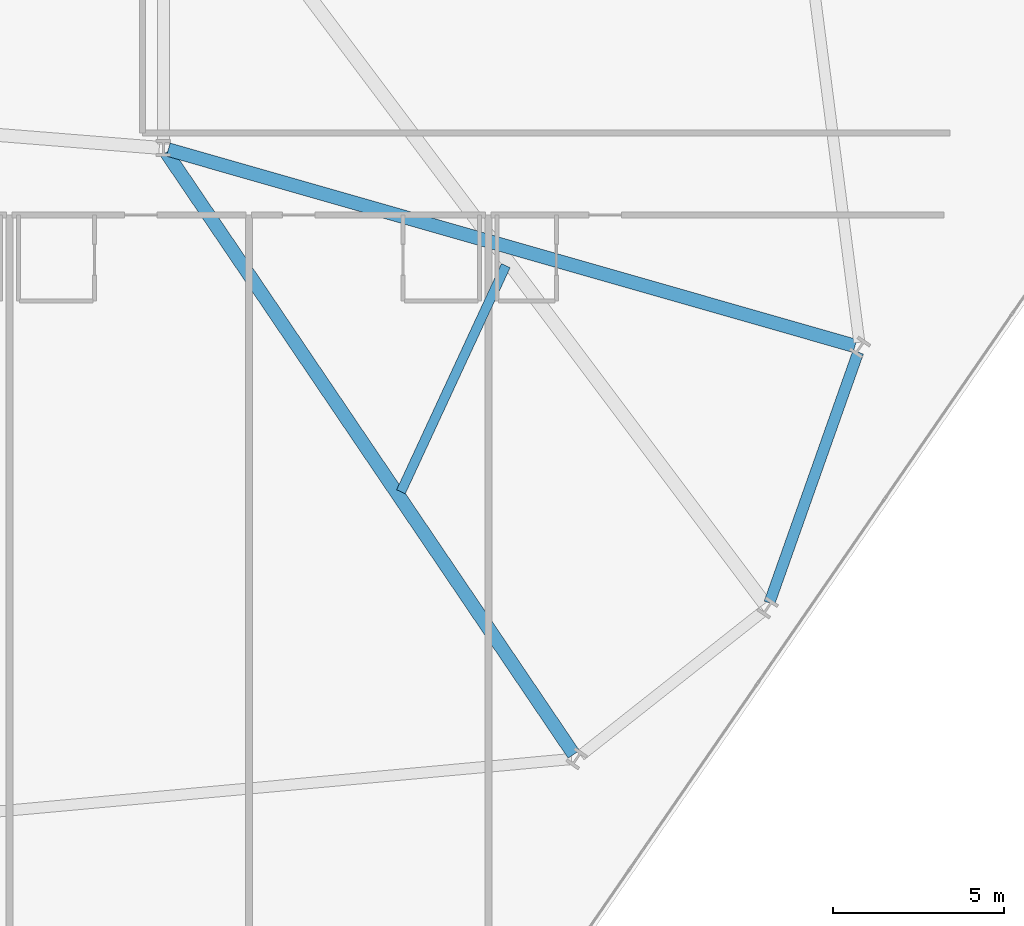
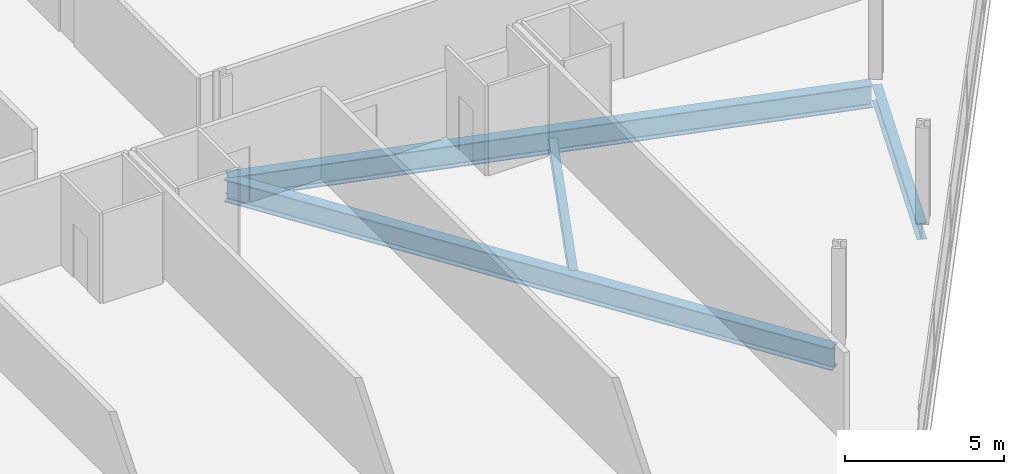
# One storey, part 8 of 25: 4 beams.
"""IFC4 building model written with IfcOpenShell, lengths in metres."""

from ifc_helpers import new_model, si_unit, direction, frame, origin, origin_2d, place, context, subcontext, project, spatial, i_section, extrude, material, material_profile, profile_set, type_object, element, save


model = new_model("IFC4")

# Units and contexts
model_context = context("Model", 3, precision=1e-05, world=origin(), true_north=direction((0.0, 1.0)))
body_context = subcontext(model_context, "Body", "Model", "MODEL_VIEW")
ifc_project = project(units=[si_unit("LENGTHUNIT", "METRE"), si_unit("AREAUNIT", "SQUARE_METRE"), si_unit("VOLUMEUNIT", "CUBIC_METRE"), si_unit("PLANEANGLEUNIT", "RADIAN"), si_unit("MASSUNIT", "GRAM", prefix="KILO")], contexts=[model_context])

# Site, building, storey
site_placement = place(None, origin())
site = spatial("IfcSite", under=ifc_project, at=site_placement, CompositionType="ELEMENT")
building_placement = place(site_placement, origin())
building = spatial("IfcBuilding", under=site, at=building_placement, Name="Varnelok Gate Tower", CompositionType="ELEMENT")
storey_placement = place(building_placement, frame((0.0, 0.0, 49.199951171875)))
storey = spatial("IfcBuildingStorey", under=building, at=storey_placement, Name="L11", CompositionType="ELEMENT", Elevation=49.199951171875)

# Beams
ifc_material = material(Name="Structural Steel ASTM A992 Grade 50", Category="steel")
ifc_material_profile_1 = material_profile(ifc_material, i_section(OverallWidth=0.280029296875, OverallDepth=0.462890625, WebThickness=0.0107421875, FlangeThickness=0.017333984375, FilletRadius=0.014892578125, at=origin_2d()), Name="W18X76")
ifc_profile_set_1 = profile_set([ifc_material_profile_1], Name="Structural Steel ASTM A992 Grade 50")
beam_type_1 = type_object("IfcBeamType", Name="BM-JST-W18X76", PredefinedType="JOIST", material=ifc_profile_set_1)
beam_1_placement = place(storey_placement, frame((60.947265625, 8.75390625, -0.4814453125), z_axis=(0.420674230726, 0.907211767783, 0.0), x_axis=(-0.907211767783, 0.420674230726, 0.0)))
element("IfcBeam", 1, at=beam_1_placement, inside=storey, type_object=beam_type_1, Name="L11 Sector Floor Joist 5", PredefinedType="JOIST", context=body_context, shape_type="SweptSolid", body=[
    extrude(i_section(OverallWidth=0.280029296875, OverallDepth=0.462890625, WebThickness=0.0107421875, FlangeThickness=0.017333984375, FilletRadius=0.014892578125, at=origin_2d()), origin(), (0.0, 0.0, 1.0), 7.28759765625),
])
ifc_material_profile_2 = material_profile(ifc_material, i_section(OverallWidth=0.39892578125, OverallDepth=0.85498046875, WebThickness=0.018310546875, FlangeThickness=0.029296875, FilletRadius=0.02392578125, at=origin_2d()), Name="W33X201")
ifc_profile_set_2 = profile_set([ifc_material_profile_2], Name="Structural Steel ASTM A992 Grade 50")
beam_type_2 = type_object("IfcBeamType", Name="BM-PRI-W33X201", PredefinedType="BEAM", material=ifc_profile_set_2)
beam_2_placement = place(storey_placement, frame((54.083984375, 18.67578125, -0.677490234375), z_axis=(0.560684565433, -0.828029478995, 0.0), x_axis=(0.828029478995, 0.560684565433, 0.0)))
element("IfcBeam", 2, at=beam_2_placement, inside=storey, type_object=beam_type_2, Name="L11 Radial Floor Girder 6", PredefinedType="BEAM", context=body_context, shape_type="SweptSolid", body=[
    extrude(i_section(OverallWidth=0.39892578125, OverallDepth=0.85498046875, WebThickness=0.018310546875, FlangeThickness=0.029296875, FilletRadius=0.02392578125, at=origin_2d()), origin(), (0.0, 0.0, 1.0), 21.25390625),
])
beam_3_placement = place(storey_placement, frame((54.144287109375, 18.7587890625, -0.677490234375), z_axis=(0.961463485116, -0.274932658643, 0.0), x_axis=(0.274932658643, 0.961463485116, 0.0)))
element("IfcBeam", 3, at=beam_3_placement, inside=storey, type_object=beam_type_2, Name="L11 Radial Floor Girder 8", PredefinedType="BEAM", context=body_context, shape_type="SweptSolid", body=[
    extrude(i_section(OverallWidth=0.39892578125, OverallDepth=0.85498046875, WebThickness=0.018310546875, FlangeThickness=0.029296875, FilletRadius=0.02392578125, at=origin_2d()), origin(), (0.0, 0.0, 1.0), 20.883056640625),
])
ifc_material_profile_3 = material_profile(ifc_material, i_section(OverallWidth=0.323974609375, OverallDepth=0.611083984375, WebThickness=0.0126953125, FlangeThickness=0.01904296875, FilletRadius=0.01806640625, at=origin_2d()), Name="W24X104")
ifc_profile_set_3 = profile_set([ifc_material_profile_3], Name="Structural Steel ASTM A992 Grade 50")
beam_type_3 = type_object("IfcBeamType", Name="BM-SPN-W24X104", PredefinedType="SPANDREL", material=ifc_profile_set_3)
beam_4_placement = place(storey_placement, frame((71.72021484375, 5.50390625, -0.555419921875), z_axis=(0.333887238705, 0.942613023372, 0.0), x_axis=(-0.942613023372, 0.333887238705, 0.0)))
element("IfcBeam", 4, at=beam_4_placement, inside=storey, type_object=beam_type_3, Name="L11 Perimeter Spandrel Beam 7", PredefinedType="SPANDREL", context=body_context, shape_type="SweptSolid", body=[
    extrude(i_section(OverallWidth=0.323974609375, OverallDepth=0.611083984375, WebThickness=0.0126953125, FlangeThickness=0.01904296875, FilletRadius=0.01806640625, at=origin_2d()), origin(), (0.0, 0.0, 1.0), 7.777099609375),
])

save(model, "model.ifc")
